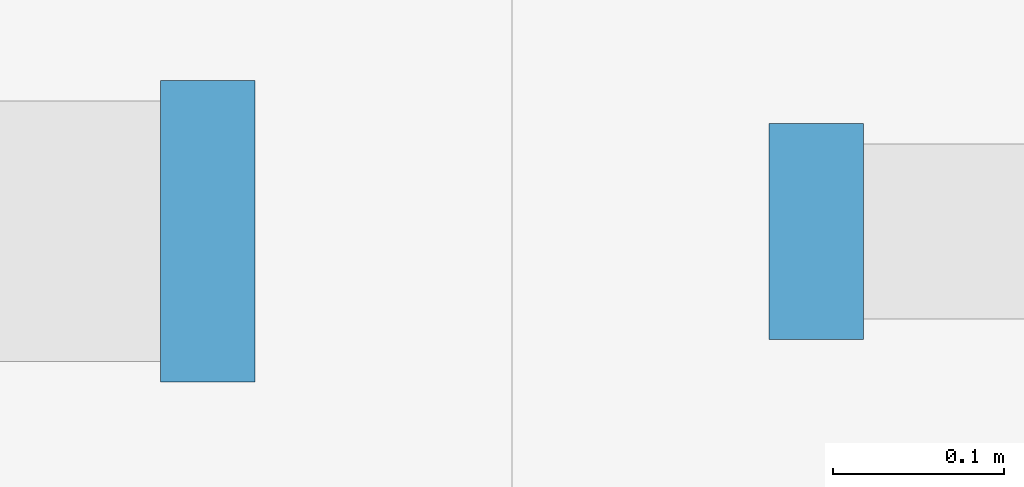
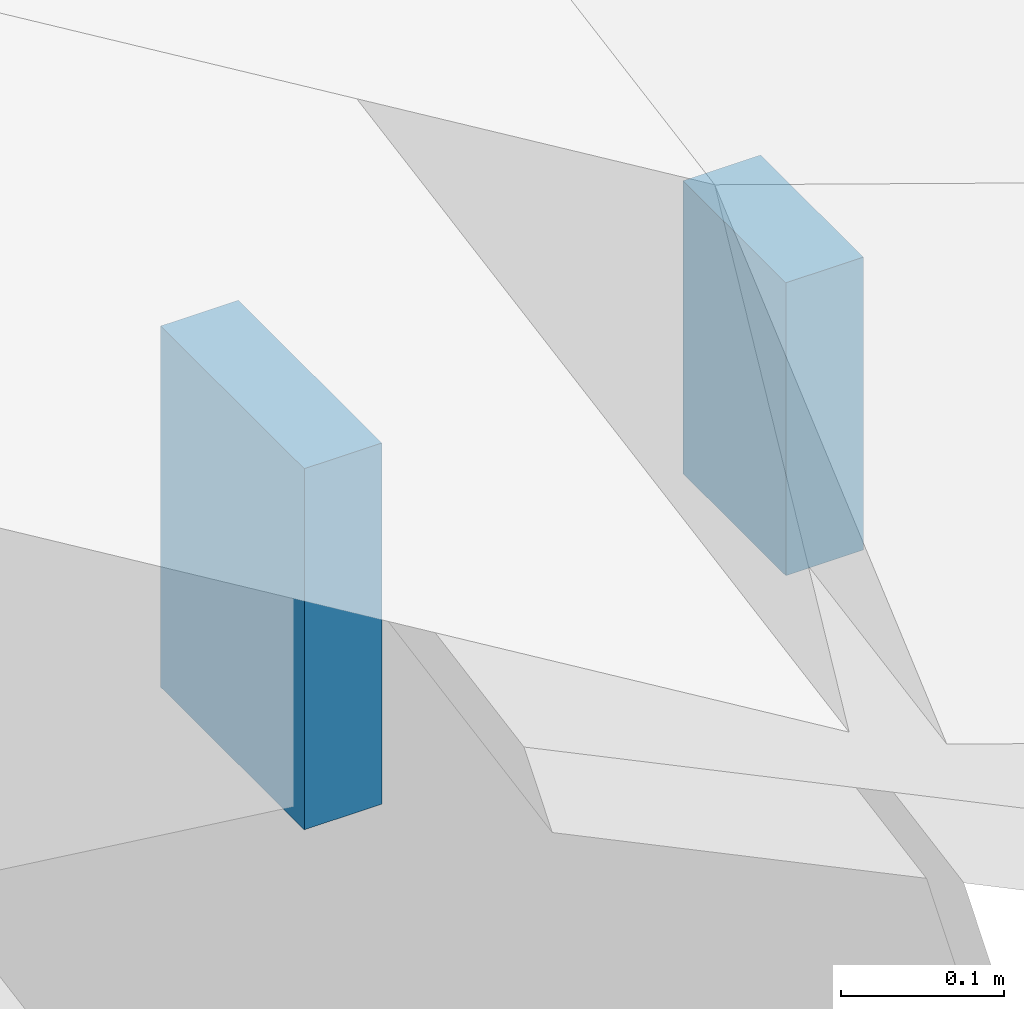
# One storey, part 35 of 52: 2 discrete accessories.
"""IFC4 building model written with IfcOpenShell, lengths in metres."""

from ifc_helpers import new_model, si_unit, direction, frame, origin, origin_2d, place, context, subcontext, project, spatial, rectangle, extrude, material, layer, layer_set, type_object, element, save


model = new_model("IFC4")

# Units and contexts
model_context = context("Model", 3, precision=1e-05, world=origin(), true_north=direction((0.0, 1.0)))
body_context = subcontext(model_context, "Body", "Model", "MODEL_VIEW")
ifc_project = project(units=[si_unit("LENGTHUNIT", "METRE"), si_unit("AREAUNIT", "SQUARE_METRE"), si_unit("VOLUMEUNIT", "CUBIC_METRE"), si_unit("PLANEANGLEUNIT", "RADIAN"), si_unit("MASSUNIT", "GRAM", prefix="KILO")], contexts=[model_context])

# Site, building, storey
site_placement = place(None, origin())
site = spatial("IfcSite", under=ifc_project, at=site_placement, CompositionType="ELEMENT")
building_placement = place(site_placement, origin())
building = spatial("IfcBuilding", under=site, at=building_placement, Name="Vaelkrest Opera House", CompositionType="ELEMENT")
storey_placement = place(building_placement, frame((0.0, 0.0, 41.39990234375)))
storey = spatial("IfcBuildingStorey", under=building, at=storey_placement, Name="ROOF", CompositionType="ELEMENT", Elevation=41.39990234375)

# Discrete accessories
ifc_material = material(Name="Steel A572 Gr50", Category="steel")
ifc_layer = layer(ifc_material, 0.320068359375)
ifc_layer_set = layer_set([ifc_layer], Name="Steel A572 Gr50")
discrete_accessory_type = type_object("IfcDiscreteAccessoryType", Name="ECP01", PredefinedType="USERDEFINED", material=ifc_layer_set)
discrete_accessory_1_placement = place(storey_placement, frame((-24.177490234375, 0.1201171875, -6.741943359375), z_axis=(0.0, 0.0, 1.0), x_axis=(1.0, 0.0, 0.0)))
element("IfcDiscreteAccessory", 1, at=discrete_accessory_1_placement, inside=storey, type_object=discrete_accessory_type, Name="Purlin HSS end cap plate V1-01-S3-33-E1", ObjectType="CAP PLATE", PredefinedType="USERDEFINED", context=body_context, shape_type="SweptSolid", body=[
    extrude(rectangle(XDim=0.054931640625, YDim=0.176025390625, at=origin_2d()), origin(), (0.0, 0.0, 1.0), 0.27001953125),
])
discrete_accessory_2_placement = place(storey_placement, frame((-23.822509765625, 0.1201171875, -6.69140625), z_axis=(0.0, 0.0, 1.0), x_axis=(1.0, 0.0, 0.0)))
element("IfcDiscreteAccessory", 2, at=discrete_accessory_2_placement, inside=storey, type_object=discrete_accessory_type, Name="Purlin HSS end cap plate V1-02-S3-33-W0", ObjectType="CAP PLATE", PredefinedType="USERDEFINED", context=body_context, shape_type="SweptSolid", body=[
    extrude(rectangle(XDim=0.054931640625, YDim=0.1259765625, at=origin_2d()), origin(), (0.0, 0.0, 1.0), 0.218994140625),
])

save(model, "model.ifc")
